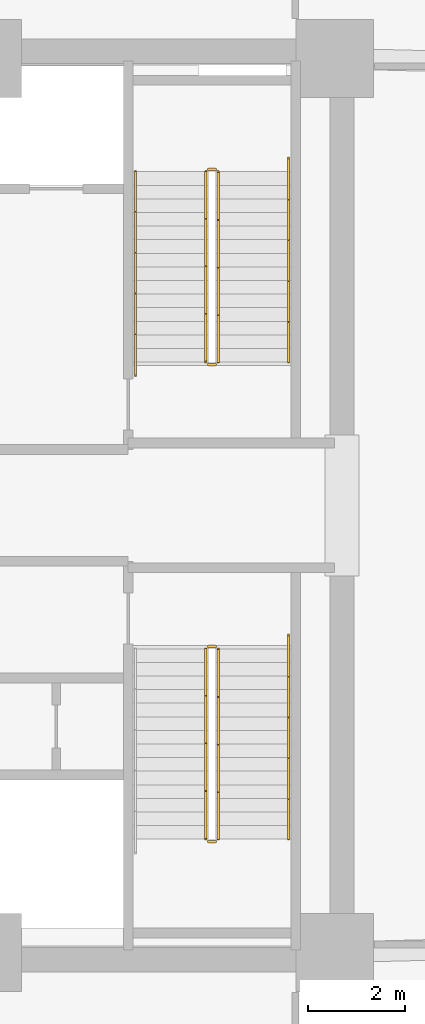
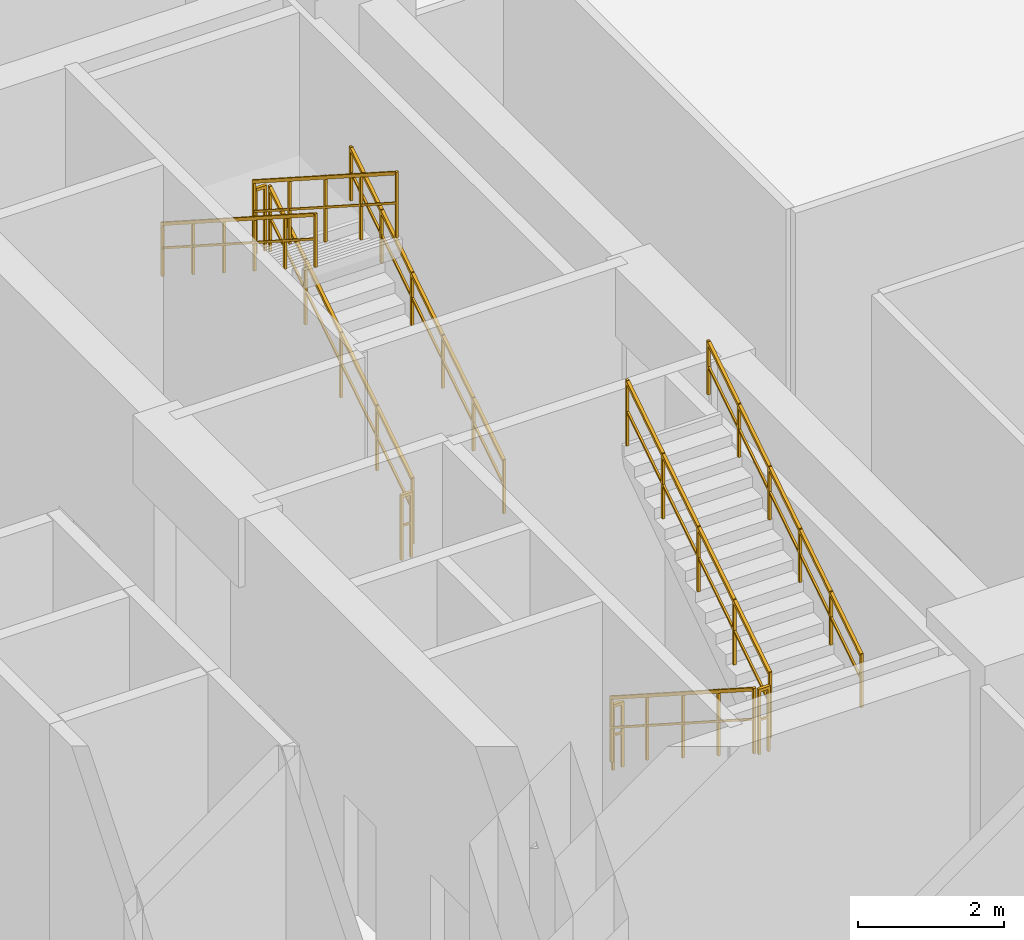
# One storey, part 14 of 15: 11 railings.
"""IFC4 building model written with IfcOpenShell, lengths in metres."""

from ifc_helpers import new_model, si_unit, direction, frame, origin, origin_2d, place, context, subcontext, project, spatial, rectangle, extrude, material, type_object, element, save


model = new_model("IFC4")

# Units and contexts
model_context = context("Model", 3, precision=1e-05, world=origin(), true_north=direction((0.0, 1.0)))
body_context = subcontext(model_context, "Body", "Model", "MODEL_VIEW")
ifc_project = project(units=[si_unit("LENGTHUNIT", "METRE"), si_unit("AREAUNIT", "SQUARE_METRE"), si_unit("VOLUMEUNIT", "CUBIC_METRE"), si_unit("PLANEANGLEUNIT", "RADIAN"), si_unit("MASSUNIT", "GRAM", prefix="KILO")], contexts=[model_context])

# Site, building, storey
site_placement = place(None, origin())
site = spatial("IfcSite", under=ifc_project, at=site_placement, CompositionType="ELEMENT")
building_placement = place(site_placement, origin())
building = spatial("IfcBuilding", under=site, at=building_placement, Name="Zahravan Cultural Tower", CompositionType="ELEMENT")
storey_placement = place(building_placement, frame((0.0, 0.0, 12.60009765625)))
storey = spatial("IfcBuildingStorey", under=building, at=storey_placement, Name="L02", CompositionType="ELEMENT", Elevation=12.60009765625)

# Railings
ifc_material = material(Name="Steel ASTM A572 Grade 50", Category="steel")
railing_type_1 = type_object("IfcRailingType", Name="RL-STAIR-GRD1150", PredefinedType="BALUSTRADE", material=ifc_material)
railing_1_placement = place(storey_placement, frame((47.949951171875, 29.949951171875, 0.179931640625)))
element("IfcRailing", 1, at=railing_1_placement, inside=storey, type_object=railing_type_1, Name="L02 ST-E1 stair guard 1", PredefinedType="BALUSTRADE", context=body_context, shape_type="SweptSolid", body=[
    extrude(rectangle(XDim=0.05, YDim=0.05, at=origin_2d()), frame((0.0, 0.0, 1.0751953125), z_axis=(0.0, 0.841186985886, 0.540744352514), x_axis=(-1.0, 0.0, 0.0)), (0.0, 0.0, 1.0), 4.660400390625),
    extrude(rectangle(XDim=0.032, YDim=0.032, at=origin_2d()), frame((0.0, 0.0, 0.572021484375), z_axis=(0.0, 0.841186985886, 0.540744352514), x_axis=(-1.0, 0.0, 0.0)), (0.0, 0.0, 1.0), 4.660400390625),
    extrude(rectangle(XDim=0.04, YDim=0.04, at=origin_2d()), origin(), (0.0, 0.0, 1.0), 1.10009765625),
    extrude(rectangle(XDim=0.04, YDim=0.04, at=origin_2d()), frame((0.0, 0.97998046875, 0.6298828125)), (0.0, 0.0, 1.0), 1.10009765625),
    extrude(rectangle(XDim=0.04, YDim=0.04, at=origin_2d()), frame((0.0, 1.9599609375, 1.260009765625)), (0.0, 0.0, 1.0), 1.10009765625),
    extrude(rectangle(XDim=0.04, YDim=0.04, at=origin_2d()), frame((0.0, 2.940185546875, 1.89013671875)), (0.0, 0.0, 1.0), 1.10009765625),
    extrude(rectangle(XDim=0.04, YDim=0.04, at=origin_2d()), frame((0.0, 3.920166015625, 2.52001953125)), (0.0, 0.0, 1.0), 1.10009765625),
])
railing_2_placement = place(storey_placement, frame((47.89990234375, 33.919921875, 2.699951171875)))
element("IfcRailing", 2, at=railing_2_placement, inside=storey, type_object=railing_type_1, Name="L02 ST-E1 stair guard 2", PredefinedType="BALUSTRADE", context=body_context, shape_type="SweptSolid", body=[
    extrude(rectangle(XDim=0.05, YDim=0.05, at=origin_2d()), frame((0.0, 0.0, 1.0751953125), z_axis=(-1.0, 0.0, 0.0), x_axis=(0.0, -1.0, 0.0)), (0.0, 0.0, 1.0), 0.14990234375),
    extrude(rectangle(XDim=0.032, YDim=0.032, at=origin_2d()), frame((0.0, 0.0, 0.572021484375), z_axis=(-1.0, 0.0, 0.0), x_axis=(0.0, -1.0, 0.0)), (0.0, 0.0, 1.0), 0.14990234375),
    extrude(rectangle(XDim=0.04, YDim=0.04, at=origin_2d()), origin(), (0.0, 0.0, 1.0), 1.10009765625),
    extrude(rectangle(XDim=0.04, YDim=0.04, at=origin_2d()), frame((-0.14990234375, 0.0, 0.0)), (0.0, 0.0, 1.0), 1.10009765625),
])
railing_3_placement = place(storey_placement, frame((47.699951171875, 33.8701171875, 2.8798828125)))
element("IfcRailing", 3, at=railing_3_placement, inside=storey, type_object=railing_type_1, Name="L02 ST-E1 stair guard 3", PredefinedType="BALUSTRADE", context=body_context, shape_type="SweptSolid", body=[
    extrude(rectangle(XDim=0.05, YDim=0.05, at=origin_2d()), frame((0.0, 0.0, 1.0751953125), z_axis=(0.0, -0.841186985886, 0.540744352514), x_axis=(1.0, 0.0, 0.0)), (0.0, 0.0, 1.0), 4.660400390625),
    extrude(rectangle(XDim=0.032, YDim=0.032, at=origin_2d()), frame((0.0, 0.0, 0.572021484375), z_axis=(0.0, -0.841186985886, 0.540744352514), x_axis=(1.0, 0.0, 0.0)), (0.0, 0.0, 1.0), 4.660400390625),
    extrude(rectangle(XDim=0.04, YDim=0.04, at=origin_2d()), origin(), (0.0, 0.0, 1.0), 1.10009765625),
    extrude(rectangle(XDim=0.04, YDim=0.04, at=origin_2d()), frame((0.0, -0.97998046875, 0.6298828125)), (0.0, 0.0, 1.0), 1.10009765625),
    extrude(rectangle(XDim=0.04, YDim=0.04, at=origin_2d()), frame((0.0, -1.9599609375, 1.260009765625)), (0.0, 0.0, 1.0), 1.10009765625),
    extrude(rectangle(XDim=0.04, YDim=0.04, at=origin_2d()), frame((0.0, -2.940185546875, 1.89013671875)), (0.0, 0.0, 1.0), 1.10009765625),
    extrude(rectangle(XDim=0.04, YDim=0.04, at=origin_2d()), frame((0.0, -3.920166015625, 2.52001953125)), (0.0, 0.0, 1.0), 1.10009765625),
])
railing_4_placement = place(storey_placement, frame((47.89990234375, 29.89990234375, 0.0)))
element("IfcRailing", 4, at=railing_4_placement, inside=storey, type_object=railing_type_1, Name="L02 ST-E1 stair guard 4", PredefinedType="BALUSTRADE", context=body_context, shape_type="SweptSolid", body=[
    extrude(rectangle(XDim=0.05, YDim=0.05, at=origin_2d()), frame((0.0, 0.0, 1.0751953125), z_axis=(-1.0, 0.0, 0.0), x_axis=(0.0, -1.0, 0.0)), (0.0, 0.0, 1.0), 0.14990234375),
    extrude(rectangle(XDim=0.032, YDim=0.032, at=origin_2d()), frame((0.0, 0.0, 0.572021484375), z_axis=(-1.0, 0.0, 0.0), x_axis=(0.0, -1.0, 0.0)), (0.0, 0.0, 1.0), 0.14990234375),
    extrude(rectangle(XDim=0.04, YDim=0.04, at=origin_2d()), origin(), (0.0, 0.0, 1.0), 1.10009765625),
    extrude(rectangle(XDim=0.04, YDim=0.04, at=origin_2d()), frame((-0.14990234375, 0.0, 0.0)), (0.0, 0.0, 1.0), 1.10009765625),
])
railing_5_placement = place(storey_placement, frame((47.699951171875, 24.050048828125, 0.179931640625)))
element("IfcRailing", 5, at=railing_5_placement, inside=storey, type_object=railing_type_1, Name="L02 ST-E2 stair guard 1", PredefinedType="BALUSTRADE", context=body_context, shape_type="SweptSolid", body=[
    extrude(rectangle(XDim=0.05, YDim=0.05, at=origin_2d()), frame((0.0, 0.0, 1.0751953125), z_axis=(0.0, -0.841186985886, 0.540744352514), x_axis=(1.0, 0.0, 0.0)), (0.0, 0.0, 1.0), 4.660400390625),
    extrude(rectangle(XDim=0.032, YDim=0.032, at=origin_2d()), frame((0.0, 0.0, 0.572021484375), z_axis=(0.0, -0.841186985886, 0.540744352514), x_axis=(1.0, 0.0, 0.0)), (0.0, 0.0, 1.0), 4.660400390625),
    extrude(rectangle(XDim=0.04, YDim=0.04, at=origin_2d()), origin(), (0.0, 0.0, 1.0), 1.10009765625),
    extrude(rectangle(XDim=0.04, YDim=0.04, at=origin_2d()), frame((0.0, -0.97998046875, 0.6298828125)), (0.0, 0.0, 1.0), 1.10009765625),
    extrude(rectangle(XDim=0.04, YDim=0.04, at=origin_2d()), frame((0.0, -1.9599609375, 1.260009765625)), (0.0, 0.0, 1.0), 1.10009765625),
    extrude(rectangle(XDim=0.04, YDim=0.04, at=origin_2d()), frame((0.0, -2.940185546875, 1.89013671875)), (0.0, 0.0, 1.0), 1.10009765625),
    extrude(rectangle(XDim=0.04, YDim=0.04, at=origin_2d()), frame((0.0, -3.920166015625, 2.52001953125)), (0.0, 0.0, 1.0), 1.10009765625),
])
railing_6_placement = place(storey_placement, frame((47.75, 20.080078125, 2.699951171875)))
element("IfcRailing", 6, at=railing_6_placement, inside=storey, type_object=railing_type_1, Name="L02 ST-E2 stair guard 2", PredefinedType="BALUSTRADE", context=body_context, shape_type="SweptSolid", body=[
    extrude(rectangle(XDim=0.05, YDim=0.05, at=origin_2d()), frame((0.0, 0.0, 1.0751953125), z_axis=(1.0, 0.0, 0.0), x_axis=(0.0, 1.0, 0.0)), (0.0, 0.0, 1.0), 0.14990234375),
    extrude(rectangle(XDim=0.032, YDim=0.032, at=origin_2d()), frame((0.0, 0.0, 0.572021484375), z_axis=(1.0, 0.0, 0.0), x_axis=(0.0, 1.0, 0.0)), (0.0, 0.0, 1.0), 0.14990234375),
    extrude(rectangle(XDim=0.04, YDim=0.04, at=origin_2d()), origin(), (0.0, 0.0, 1.0), 1.10009765625),
    extrude(rectangle(XDim=0.04, YDim=0.04, at=origin_2d()), frame((0.14990234375, 0.0, 0.0)), (0.0, 0.0, 1.0), 1.10009765625),
])
railing_7_placement = place(storey_placement, frame((47.949951171875, 20.1298828125, 2.8798828125)))
element("IfcRailing", 7, at=railing_7_placement, inside=storey, type_object=railing_type_1, Name="L02 ST-E2 stair guard 3", PredefinedType="BALUSTRADE", context=body_context, shape_type="SweptSolid", body=[
    extrude(rectangle(XDim=0.05, YDim=0.05, at=origin_2d()), frame((0.0, 0.0, 1.0751953125), z_axis=(0.0, 0.841186985886, 0.540744352514), x_axis=(-1.0, 0.0, 0.0)), (0.0, 0.0, 1.0), 4.660400390625),
    extrude(rectangle(XDim=0.032, YDim=0.032, at=origin_2d()), frame((0.0, 0.0, 0.572021484375), z_axis=(0.0, 0.841186985886, 0.540744352514), x_axis=(-1.0, 0.0, 0.0)), (0.0, 0.0, 1.0), 4.660400390625),
    extrude(rectangle(XDim=0.04, YDim=0.04, at=origin_2d()), origin(), (0.0, 0.0, 1.0), 1.10009765625),
    extrude(rectangle(XDim=0.04, YDim=0.04, at=origin_2d()), frame((0.0, 0.97998046875, 0.6298828125)), (0.0, 0.0, 1.0), 1.10009765625),
    extrude(rectangle(XDim=0.04, YDim=0.04, at=origin_2d()), frame((0.0, 1.9599609375, 1.260009765625)), (0.0, 0.0, 1.0), 1.10009765625),
    extrude(rectangle(XDim=0.04, YDim=0.04, at=origin_2d()), frame((0.0, 2.940185546875, 1.89013671875)), (0.0, 0.0, 1.0), 1.10009765625),
    extrude(rectangle(XDim=0.04, YDim=0.04, at=origin_2d()), frame((0.0, 3.920166015625, 2.52001953125)), (0.0, 0.0, 1.0), 1.10009765625),
])
railing_8_placement = place(storey_placement, frame((47.75, 24.10009765625, 0.0)))
element("IfcRailing", 8, at=railing_8_placement, inside=storey, type_object=railing_type_1, Name="L02 ST-E2 stair guard 4", PredefinedType="BALUSTRADE", context=body_context, shape_type="SweptSolid", body=[
    extrude(rectangle(XDim=0.05, YDim=0.05, at=origin_2d()), frame((0.0, 0.0, 1.0751953125), z_axis=(1.0, 0.0, 0.0), x_axis=(0.0, 1.0, 0.0)), (0.0, 0.0, 1.0), 0.14990234375),
    extrude(rectangle(XDim=0.032, YDim=0.032, at=origin_2d()), frame((0.0, 0.0, 0.572021484375), z_axis=(1.0, 0.0, 0.0), x_axis=(0.0, 1.0, 0.0)), (0.0, 0.0, 1.0), 0.14990234375),
    extrude(rectangle(XDim=0.04, YDim=0.04, at=origin_2d()), origin(), (0.0, 0.0, 1.0), 1.10009765625),
    extrude(rectangle(XDim=0.04, YDim=0.04, at=origin_2d()), frame((0.14990234375, 0.0, 0.0)), (0.0, 0.0, 1.0), 1.10009765625),
])
railing_type_2 = type_object("IfcRailingType", Name="RL-STAIR-HR900", PredefinedType="HANDRAIL", material=ifc_material)
railing_9_placement = place(storey_placement, frame((49.39990234375, 29.949951171875, 0.179931640625)))
element("IfcRailing", 9, at=railing_9_placement, inside=storey, type_object=railing_type_2, Name="L02 ST-E1 stair handrail 1", PredefinedType="HANDRAIL", context=body_context, shape_type="SweptSolid", body=[
    extrude(rectangle(XDim=0.05, YDim=0.05, at=origin_2d()), frame((0.0, 0.0, 0.875), z_axis=(0.0, 0.841180064094, 0.540755119968), x_axis=(-1.0, 0.0, 0.0)), (0.0, 0.0, 1.0), 4.992919921875),
    extrude(rectangle(XDim=0.032, YDim=0.032, at=origin_2d()), frame((0.0, 0.0, 0.468017578125), z_axis=(0.0, 0.841180064094, 0.540755119968), x_axis=(-1.0, 0.0, 0.0)), (0.0, 0.0, 1.0), 4.992919921875),
    extrude(rectangle(XDim=0.04, YDim=0.04, at=origin_2d()), origin(), (0.0, 0.0, 1.0), 0.89990234375),
    extrude(rectangle(XDim=0.04, YDim=0.04, at=origin_2d()), frame((0.0, 0.840087890625, 0.5400390625)), (0.0, 0.0, 1.0), 0.89990234375),
    extrude(rectangle(XDim=0.04, YDim=0.04, at=origin_2d()), frame((0.0, 1.679931640625, 1.080078125)), (0.0, 0.0, 1.0), 0.89990234375),
    extrude(rectangle(XDim=0.04, YDim=0.04, at=origin_2d()), frame((0.0, 2.52001953125, 1.619873046875)), (0.0, 0.0, 1.0), 0.89990234375),
    extrude(rectangle(XDim=0.04, YDim=0.04, at=origin_2d()), frame((0.0, 3.35986328125, 2.159912109375)), (0.0, 0.0, 1.0), 0.89990234375),
    extrude(rectangle(XDim=0.04, YDim=0.04, at=origin_2d()), frame((0.0, 4.199951171875, 2.699951171875)), (0.0, 0.0, 1.0), 0.89990234375),
])
railing_10_placement = place(storey_placement, frame((46.25, 33.8701171875, 2.8798828125)))
element("IfcRailing", 10, at=railing_10_placement, inside=storey, type_object=railing_type_2, Name="L02 ST-E1 stair handrail 2", PredefinedType="HANDRAIL", context=body_context, shape_type="SweptSolid", body=[
    extrude(rectangle(XDim=0.05, YDim=0.05, at=origin_2d()), frame((0.0, 0.0, 0.875), z_axis=(0.0, -0.841194361566, 0.540732878665), x_axis=(1.0, 0.0, 0.0)), (0.0, 0.0, 1.0), 4.9931640625),
    extrude(rectangle(XDim=0.032, YDim=0.032, at=origin_2d()), frame((0.0, 0.0, 0.468017578125), z_axis=(0.0, -0.841194361566, 0.540732878665), x_axis=(1.0, 0.0, 0.0)), (0.0, 0.0, 1.0), 4.9931640625),
    extrude(rectangle(XDim=0.04, YDim=0.04, at=origin_2d()), origin(), (0.0, 0.0, 1.0), 0.89990234375),
    extrude(rectangle(XDim=0.04, YDim=0.04, at=origin_2d()), frame((0.0, -0.840087890625, 0.5400390625)), (0.0, 0.0, 1.0), 0.89990234375),
    extrude(rectangle(XDim=0.04, YDim=0.04, at=origin_2d()), frame((0.0, -1.68017578125, 1.080078125)), (0.0, 0.0, 1.0), 0.89990234375),
    extrude(rectangle(XDim=0.04, YDim=0.04, at=origin_2d()), frame((0.0, -2.52001953125, 1.619873046875)), (0.0, 0.0, 1.0), 0.89990234375),
    extrude(rectangle(XDim=0.04, YDim=0.04, at=origin_2d()), frame((0.0, -3.360107421875, 2.159912109375)), (0.0, 0.0, 1.0), 0.89990234375),
    extrude(rectangle(XDim=0.04, YDim=0.04, at=origin_2d()), frame((0.0, -4.2001953125, 2.699951171875)), (0.0, 0.0, 1.0), 0.89990234375),
])
railing_11_placement = place(storey_placement, frame((49.39990234375, 20.1298828125, 2.8798828125)))
element("IfcRailing", 11, at=railing_11_placement, inside=storey, type_object=railing_type_2, Name="L02 ST-E2 stair handrail 2", PredefinedType="HANDRAIL", context=body_context, shape_type="SweptSolid", body=[
    extrude(rectangle(XDim=0.05, YDim=0.05, at=origin_2d()), frame((0.0, 0.0, 0.875), z_axis=(0.0, 0.841194361566, 0.540732878665), x_axis=(-1.0, 0.0, 0.0)), (0.0, 0.0, 1.0), 4.9931640625),
    extrude(rectangle(XDim=0.032, YDim=0.032, at=origin_2d()), frame((0.0, 0.0, 0.468017578125), z_axis=(0.0, 0.841194361566, 0.540732878665), x_axis=(-1.0, 0.0, 0.0)), (0.0, 0.0, 1.0), 4.9931640625),
    extrude(rectangle(XDim=0.04, YDim=0.04, at=origin_2d()), origin(), (0.0, 0.0, 1.0), 0.89990234375),
    extrude(rectangle(XDim=0.04, YDim=0.04, at=origin_2d()), frame((0.0, 0.840087890625, 0.5400390625)), (0.0, 0.0, 1.0), 0.89990234375),
    extrude(rectangle(XDim=0.04, YDim=0.04, at=origin_2d()), frame((0.0, 1.68017578125, 1.080078125)), (0.0, 0.0, 1.0), 0.89990234375),
    extrude(rectangle(XDim=0.04, YDim=0.04, at=origin_2d()), frame((0.0, 2.52001953125, 1.619873046875)), (0.0, 0.0, 1.0), 0.89990234375),
    extrude(rectangle(XDim=0.04, YDim=0.04, at=origin_2d()), frame((0.0, 3.360107421875, 2.159912109375)), (0.0, 0.0, 1.0), 0.89990234375),
    extrude(rectangle(XDim=0.04, YDim=0.04, at=origin_2d()), frame((0.0, 4.2001953125, 2.699951171875)), (0.0, 0.0, 1.0), 0.89990234375),
])

save(model, "model.ifc")
